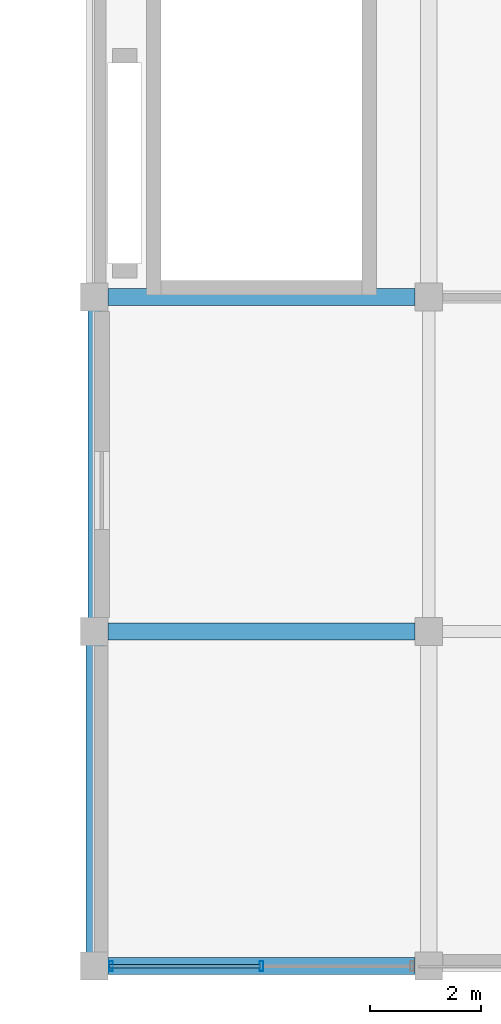
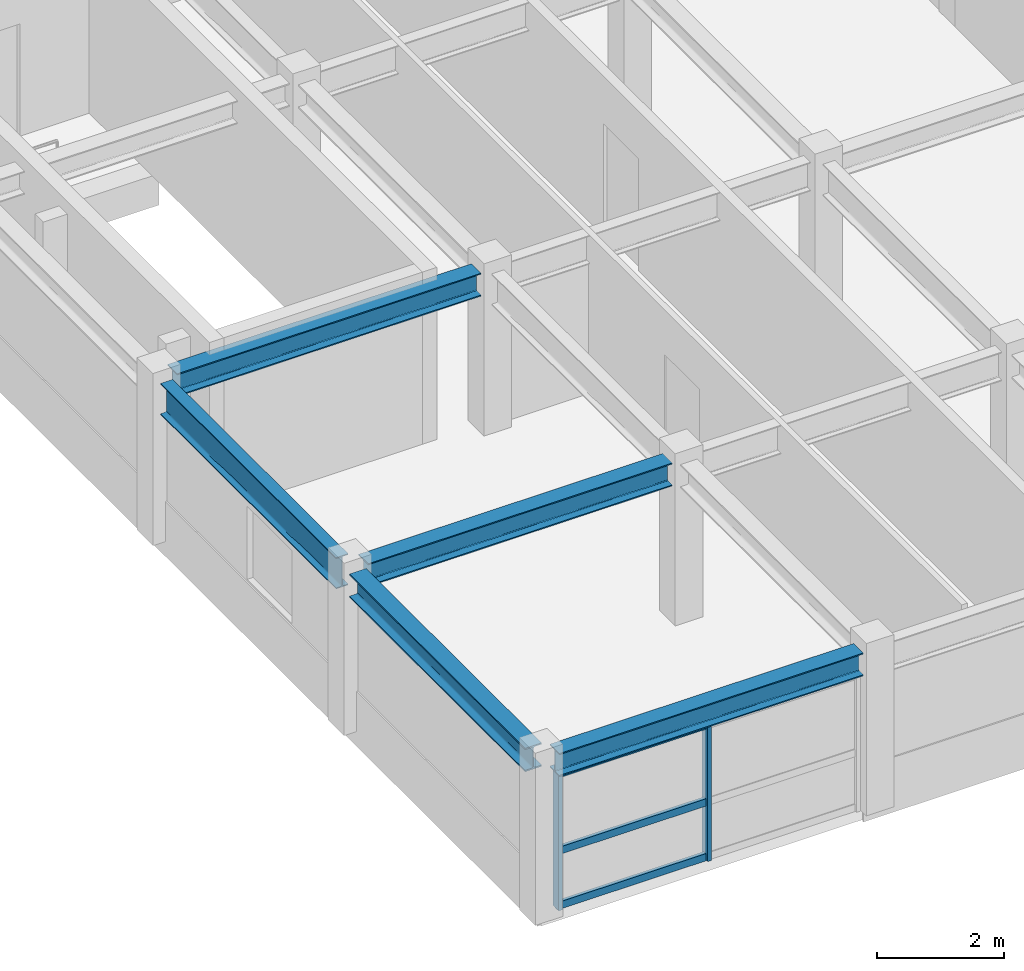
# One storey, part 2 of 11: 5 beams, 5 members, 1 element without a shape of its own.
"""IFC4 building model written with IfcOpenShell, lengths in metres."""

from ifc_helpers import new_model, si_unit, direction, frame, origin, origin_2d, place, context, subcontext, project, spatial, hollow_rectangle, i_section, extrude, material, material_profile, profile_set, type_object, element, aggregate, save


model = new_model("IFC4")

# Units and contexts
model_context = context("Model", 3, precision=1e-05, world=origin(), true_north=direction((0.0, 1.0)))
body_context = subcontext(model_context, "Body", "Model", "MODEL_VIEW")
ifc_project = project(units=[si_unit("LENGTHUNIT", "METRE"), si_unit("AREAUNIT", "SQUARE_METRE"), si_unit("VOLUMEUNIT", "CUBIC_METRE"), si_unit("PLANEANGLEUNIT", "RADIAN"), si_unit("MASSUNIT", "GRAM", prefix="KILO"), si_unit("THERMODYNAMICTEMPERATUREUNIT", "KELVIN"), si_unit("POWERUNIT", "WATT")], contexts=[model_context])

# Site, building, storey
site_placement = place(None, origin())
site = spatial("IfcSite", under=ifc_project, at=site_placement, CompositionType="ELEMENT")
building_placement = place(site_placement, origin())
building = spatial("IfcBuilding", under=site, at=building_placement, Name="Phaisarnlok Congress Hotel", CompositionType="ELEMENT")
storey_placement = place(building_placement, frame((0.0, 0.0, 51.300048828125)))
storey = spatial("IfcBuildingStorey", under=building, at=storey_placement, Name="L13", CompositionType="ELEMENT", Elevation=51.300048828125)

# Beams
ifc_material_1 = material(Name="Steel S355", Category="steel")
ifc_material_profile_1 = material_profile(ifc_material_1, i_section(OverallWidth=0.300048828125, OverallDepth=0.43994140625, WebThickness=0.011474609375, FlangeThickness=0.02099609375, FilletRadius=0.027099609375, at=origin_2d()), Name="HEA 450")
ifc_profile_set_1 = profile_set([ifc_material_profile_1], Name="Steel S355")
beam_type_1 = type_object("IfcBeamType", Name="BM-STL-HEA450", PredefinedType="BEAM", material=ifc_profile_set_1)
for number, where, z_axis, x_axis, name in (
    (1, (162.2451171875, 66.0, 2.83984375), (1.0, 0.0, 0.0), (0.0, 1.0, 0.0), "Roof beam SB-06"),
    (2, (162.2451171875, 72.0, 2.83984375), (1.0, 0.0, 0.0), (0.0, 1.0, 0.0), "Roof beam SB-06"),
    (3, (162.2451171875, 78.0, 2.83984375), (1.0, 0.0, 0.0), (0.0, 1.0, 0.0), "Roof beam SB-06"),
):
    element("IfcBeam", number, at=place(storey_placement, frame(where, z_axis=z_axis, x_axis=x_axis)), inside=storey, type_object=beam_type_1, Name=name, PredefinedType="BEAM", context=body_context, shape_type="SweptSolid", body=[
        extrude(i_section(OverallWidth=0.300048828125, OverallDepth=0.43994140625, WebThickness=0.011474609375, FlangeThickness=0.02099609375, FilletRadius=0.027099609375, at=origin_2d()), origin(), (0.0, 0.0, 1.0), 5.509765625),
    ])
ifc_material_profile_2 = material_profile(ifc_material_1, i_section(OverallWidth=0.300048828125, OverallDepth=0.449951171875, WebThickness=0.013916015625, FlangeThickness=0.02587890625, FilletRadius=0.027099609375, at=origin_2d()), Name="HEB 450")
ifc_profile_set_2 = profile_set([ifc_material_profile_2], Name="Steel S355")
beam_type_2 = type_object("IfcBeamType", Name="BM-STL-HEB450", PredefinedType="BEAM", material=ifc_profile_set_2)
beam_1_placement = place(storey_placement, frame((162.0, 66.2451171875, 2.8349609375), z_axis=(0.0, 1.0, 0.0), x_axis=(-1.0, 0.0, 0.0)))
element("IfcBeam", 4, at=beam_1_placement, inside=storey, type_object=beam_type_2, Name="Roof beam SB-08", PredefinedType="BEAM", context=body_context, shape_type="SweptSolid", body=[
    extrude(i_section(OverallWidth=0.300048828125, OverallDepth=0.449951171875, WebThickness=0.013916015625, FlangeThickness=0.02587890625, FilletRadius=0.027099609375, at=origin_2d()), origin(), (0.0, 0.0, 1.0), 5.509765625),
])
ifc_material_profile_3 = material_profile(ifc_material_1, i_section(OverallWidth=0.219970703125, OverallDepth=0.60009765625, WebThickness=0.011962890625, FlangeThickness=0.01904296875, FilletRadius=0.02392578125, at=origin_2d()), Name="IPE 600")
ifc_profile_set_3 = profile_set([ifc_material_profile_3], Name="Steel S355")
beam_type_3 = type_object("IfcBeamType", Name="BM-STL-IPE600", PredefinedType="BEAM", material=ifc_profile_set_3)
beam_2_placement = place(storey_placement, frame((162.0, 72.2451171875, 2.760009765625), z_axis=(0.0, 1.0, 0.0), x_axis=(-1.0, 0.0, 0.0)))
element("IfcBeam", 5, at=beam_2_placement, inside=storey, type_object=beam_type_3, Name="Roof beam SB-04", PredefinedType="BEAM", context=body_context, shape_type="SweptSolid", body=[
    extrude(i_section(OverallWidth=0.219970703125, OverallDepth=0.60009765625, WebThickness=0.011962890625, FlangeThickness=0.01904296875, FilletRadius=0.02392578125, at=origin_2d()), origin(), (0.0, 0.0, 1.0), 5.509765625),
])

# Curtain wall, members
ifc_material_2 = material(Name="Thermally Broken Unitised Aluminium & Low-E Glazing", Category="aluminium")
curtain_wall_type = type_object("IfcCurtainWallType", Name="CW-UNIT-39", PredefinedType="NOTDEFINED", material=ifc_material_2)
curtain_wall_placement = place(storey_placement, origin())
curtain_wall = element("IfcCurtainWall", 6, at=curtain_wall_placement, inside=storey, type_object=curtain_wall_type, Name="Unitised curtain wall CW-39 (L13)", PredefinedType="NOTDEFINED")
ifc_material_3 = material(Name="Anodised Aluminium Alloy 6063-T6", Category="aluminium")
ifc_material_profile_4 = material_profile(ifc_material_3, hollow_rectangle(XDim=0.06494140625, YDim=0.179931640625, WallThickness=0.00390625, at=origin_2d()), Name="ALU-M 65x180x4")
ifc_profile_set_4 = profile_set([ifc_material_profile_4], Name="Anodised Aluminium Alloy 6063-T6")
member_type_1 = type_object("IfcMemberType", Name="CWM-180", PredefinedType="MULLION", material=ifc_profile_set_4)
member_1_placement = place(storey_placement, frame((162.300048828125, 66.0, 0.0), z_axis=(0.0, 0.0, 1.0), x_axis=(1.0, 0.0, 0.0)))
member_1 = element("IfcMember", 7, at=member_1_placement, type_object=member_type_1, Name="Curtain wall mullion CWM-01", PredefinedType="MULLION", context=body_context, shape_type="SweptSolid", body=[
    extrude(hollow_rectangle(XDim=0.06494140625, YDim=0.179931640625, WallThickness=0.00390625, at=origin_2d()), origin(), (0.0, 0.0, 1.0), 2.619873046875),
])
member_2_placement = place(storey_placement, frame((165.0, 66.0, 0.0), z_axis=(0.0, 0.0, 1.0), x_axis=(1.0, 0.0, 0.0)))
member_2 = element("IfcMember", 8, at=member_2_placement, type_object=member_type_1, Name="Curtain wall mullion CWM-01", PredefinedType="MULLION", context=body_context, shape_type="SweptSolid", body=[
    extrude(hollow_rectangle(XDim=0.06494140625, YDim=0.179931640625, WallThickness=0.00390625, at=origin_2d()), origin(), (0.0, 0.0, 1.0), 2.619873046875),
])
ifc_material_profile_5 = material_profile(ifc_material_3, hollow_rectangle(XDim=0.06494140625, YDim=0.139892578125, WallThickness=0.00390625, at=origin_2d()), Name="ALU-T 65x140x4")
ifc_profile_set_5 = profile_set([ifc_material_profile_5], Name="Anodised Aluminium Alloy 6063-T6")
member_type_2 = type_object("IfcMemberType", Name="CWT-150", PredefinedType="USERDEFINED", material=ifc_profile_set_5)
member_3_placement = place(storey_placement, frame((162.27490234375, 66.0, 0.050048828125), z_axis=(1.0, 0.0, 0.0), x_axis=(0.0, 1.0, 0.0)))
member_3 = element("IfcMember", 9, at=member_3_placement, type_object=member_type_2, Name="Curtain wall transom CWT-01", ObjectType="TRANSOM", PredefinedType="USERDEFINED", context=body_context, shape_type="SweptSolid", body=[
    extrude(hollow_rectangle(XDim=0.06494140625, YDim=0.139892578125, WallThickness=0.00390625, at=origin_2d()), origin(), (0.0, 0.0, 1.0), 2.710205078125),
])
member_4_placement = place(storey_placement, frame((162.27490234375, 66.0, 1.099853515625), z_axis=(1.0, 0.0, 0.0), x_axis=(0.0, 1.0, 0.0)))
member_4 = element("IfcMember", 10, at=member_4_placement, type_object=member_type_2, Name="Curtain wall transom CWT-01", ObjectType="TRANSOM", PredefinedType="USERDEFINED", context=body_context, shape_type="SweptSolid", body=[
    extrude(hollow_rectangle(XDim=0.06494140625, YDim=0.139892578125, WallThickness=0.00390625, at=origin_2d()), origin(), (0.0, 0.0, 1.0), 2.710205078125),
])
member_5_placement = place(storey_placement, frame((162.27490234375, 66.0, 2.570068359375), z_axis=(1.0, 0.0, 0.0), x_axis=(0.0, 1.0, 0.0)))
member_5 = element("IfcMember", 11, at=member_5_placement, type_object=member_type_2, Name="Curtain wall transom CWT-01", ObjectType="TRANSOM", PredefinedType="USERDEFINED", context=body_context, shape_type="SweptSolid", body=[
    extrude(hollow_rectangle(XDim=0.06494140625, YDim=0.139892578125, WallThickness=0.00390625, at=origin_2d()), origin(), (0.0, 0.0, 1.0), 2.710205078125),
])
aggregate(curtain_wall, [member_1, member_2, member_3, member_4, member_5])

save(model, "model.ifc")
